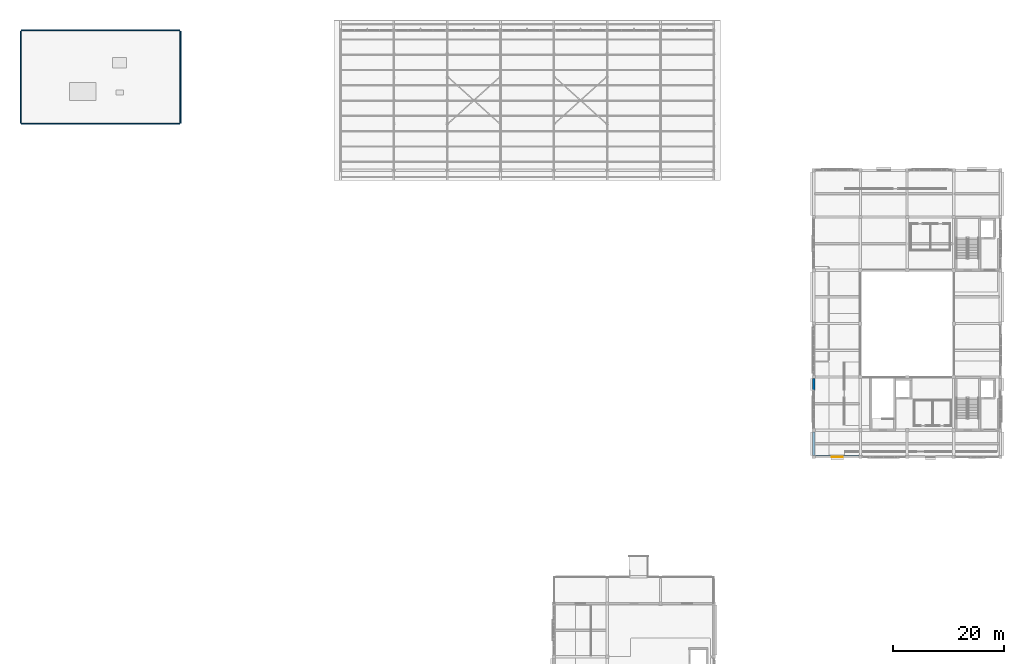
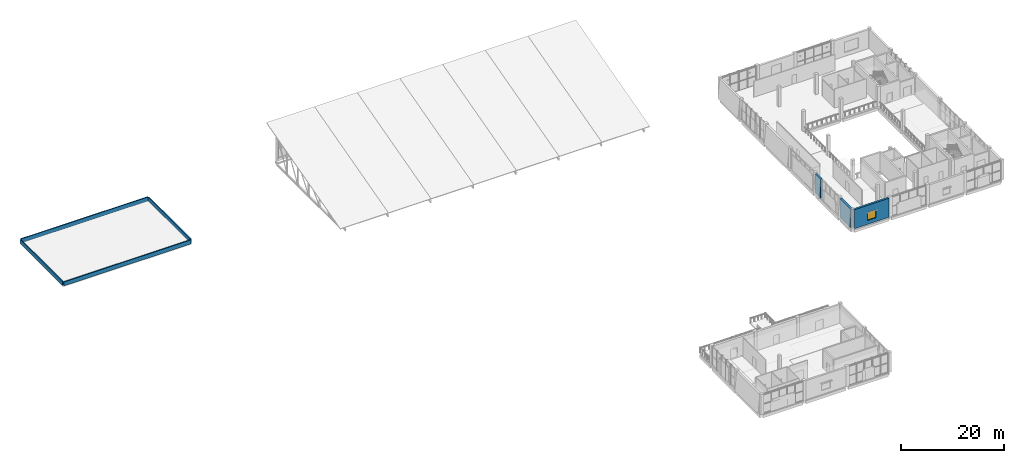
# One storey, part 27 of 37: 7 walls, 1 window, 1 opening.
"""IFC4 building model written with IfcOpenShell, lengths in metres."""

from ifc_helpers import new_model, si_unit, direction, frame, frame_2d, origin, place, context, subcontext, project, spatial, rectangle, extrude, material, layer, layer_set, type_object, element, fill, save


model = new_model("IFC4")

# Units and contexts
model_context = context("Model", 3, precision=1e-05, world=origin(), true_north=direction((0.0, 1.0)))
body_context = subcontext(model_context, "Body", "Model", "MODEL_VIEW")
ifc_project = project(units=[si_unit("LENGTHUNIT", "METRE"), si_unit("AREAUNIT", "SQUARE_METRE"), si_unit("VOLUMEUNIT", "CUBIC_METRE"), si_unit("PLANEANGLEUNIT", "RADIAN"), si_unit("MASSUNIT", "GRAM", prefix="KILO")], contexts=[model_context])

# Site, building, storey
site_placement = place(None, origin())
site = spatial("IfcSite", under=ifc_project, at=site_placement, CompositionType="ELEMENT")
building_placement = place(site_placement, origin())
building = spatial("IfcBuilding", under=site, at=building_placement, Name="Shalvenor Court Art Gallery", CompositionType="ELEMENT")
storey_placement = place(building_placement, frame((0.0, 0.0, 22.199951171875)))
storey = spatial("IfcBuildingStorey", under=building, at=storey_placement, Name="L04", CompositionType="ELEMENT", Elevation=22.199951171875)

# Wall, opening, window
ifc_material_1 = material(Name="Concrete C40/50", Category="concrete")
ifc_layer_1 = layer(ifc_material_1, 0.4599609375, Name="Concrete C40/50")
ifc_layer_set_1 = layer_set([ifc_layer_1], Name="Concrete C40/50")
wall_type_1 = type_object("IfcWallType", Name="EW-01", PredefinedType="SOLIDWALL", material=ifc_layer_set_1)
wall_1_placement = place(storey_placement, frame((150.89990234375, 45.60009765625, 0.0), z_axis=(0.0, 0.0, 1.0), x_axis=(-1.0, 0.0, 0.0)))
wall_1 = element("IfcWall", 1, at=wall_1_placement, inside=storey, type_object=wall_type_1, Name="L04 V1 Exterior Wall WL-L04-0093", PredefinedType="SOLIDWALL", context=body_context, shape_type="SweptSolid", body=[
    extrude(rectangle(XDim=7.7998046875, YDim=0.4599609375, at=frame_2d((3.89990234375, 0.0))), origin(), (0.0, 0.0, 1.0), 4.5),
])
opening_placement = place(wall_1_placement, frame((2.925048828125, 0.0, 0.89990234375)))
opening = element("IfcOpeningElement", 2, at=opening_placement, cuts=wall_1, Name="Opening WN-20", PredefinedType="OPENING", context=body_context, shape_type="SweptSolid", body=[
    extrude(rectangle(XDim=1.949951171875, YDim=1.949951171875, at=frame_2d((0.97509765625, 0.97509765625))), frame((0.0, 0.239990234375, 0.0), z_axis=(0.0, -1.0, 0.0), x_axis=(1.0, 0.0, 0.0)), (0.0, 0.0, 1.0), 0.47998046875),
])
ifc_material_2 = material(Name="Deep-reveal slot limestone window IGU", Category="masonry")
window_type = type_object("IfcWindowType", Name="WN-20", PartitioningType="SINGLE_PANEL", PredefinedType="WINDOW", material=ifc_material_2)
window_placement = place(opening_placement, origin())
window = element("IfcWindow", 3, at=window_placement, inside=storey, type_object=window_type, Name="L04 Window WIN-L04-0020", OverallHeight=1.949951171875, OverallWidth=1.949951171875, PartitioningType="SINGLE_PANEL", PredefinedType="WINDOW", context=body_context, shape_type="SweptSolid", body=[
    extrude(rectangle(XDim=1.949951171875, YDim=1.949951171875, at=frame_2d((0.97509765625, 0.97509765625))), frame((0.0, 0.030029296875, 0.0), z_axis=(0.0, -1.0, 0.0), x_axis=(1.0, 0.0, 0.0)), (0.0, 0.0, 1.0), 0.06005859375),
])
fill(opening, window)

# Walls
wall_2_placement = place(storey_placement, frame((142.800048828125, 45.89990234375, 0.0), z_axis=(0.0, 0.0, 1.0), x_axis=(0.0, 1.0, 0.0)))
element("IfcWall", 4, at=wall_2_placement, inside=storey, type_object=wall_type_1, Name="L04 V1 Exterior Wall WL-L04-0094", PredefinedType="SOLIDWALL", context=body_context, shape_type="SweptSolid", body=[
    extrude(rectangle(XDim=4.2001953125, YDim=0.4599609375, at=frame_2d((2.10009765625, 0.0))), origin(), (0.0, 0.0, 1.0), 4.5),
])
wall_3_placement = place(storey_placement, frame((142.800048828125, 57.60009765625, 0.0), z_axis=(0.0, 0.0, 1.0), x_axis=(0.0, 1.0, 0.0)))
element("IfcWall", 5, at=wall_3_placement, inside=storey, type_object=wall_type_1, Name="L04 V1 Exterior Wall WL-L04-0095", PredefinedType="SOLIDWALL", context=body_context, shape_type="SweptSolid", body=[
    extrude(rectangle(XDim=2.099853515625, YDim=0.4599609375, at=frame_2d((1.0498046875, 0.0))), origin(), (0.0, 0.0, 1.0), 4.5),
])
ifc_material_3 = material(Name="Precast concrete C40/50", Category="concrete")
ifc_layer_2 = layer(ifc_material_3, 0.22998046875, Name="Precast concrete C40/50")
ifc_layer_set_2 = layer_set([ifc_layer_2], Name="Precast concrete C40/50")
wall_type_2 = type_object("IfcWallType", Name="PW-01", PredefinedType="PARAPET", material=ifc_layer_set_2)
wall_4_placement = place(storey_placement, frame((28.800048828125, 105.719970703125, 0.0), z_axis=(0.0, 0.0, 1.0), x_axis=(0.0, 1.0, 0.0)))
element("IfcWall", 6, at=wall_4_placement, inside=storey, type_object=wall_type_2, Name="PAR-0339 L04 Roof Parapet", PredefinedType="PARAPET", context=body_context, shape_type="SweptSolid", body=[
    extrude(rectangle(XDim=16.56005859375, YDim=0.22998046875, at=frame_2d((8.280029296875, 0.0))), origin(), (0.0, 0.0, 1.0), 0.949951171875),
])
wall_5_placement = place(storey_placement, frame((28.679931640625, 122.39990234375, 0.0), z_axis=(0.0, 0.0, 1.0), x_axis=(-1.0, 0.0, 0.0)))
element("IfcWall", 7, at=wall_5_placement, inside=storey, type_object=wall_type_2, Name="PAR-0340 L04 Roof Parapet", PredefinedType="PARAPET", context=body_context, shape_type="SweptSolid", body=[
    extrude(rectangle(XDim=28.559814453125, YDim=0.22998046875, at=frame_2d((14.27978515625, 0.0))), origin(), (0.0, 0.0, 1.0), 0.949951171875),
])
wall_6_placement = place(storey_placement, frame((0.0, 122.280029296875, 0.0), z_axis=(0.0, 0.0, 1.0), x_axis=(0.0, -1.0, 0.0)))
element("IfcWall", 8, at=wall_6_placement, inside=storey, type_object=wall_type_2, Name="PAR-0341 L04 Roof Parapet", PredefinedType="PARAPET", context=body_context, shape_type="SweptSolid", body=[
    extrude(rectangle(XDim=16.56005859375, YDim=0.22998046875, at=frame_2d((8.280029296875, 0.0))), origin(), (0.0, 0.0, 1.0), 0.949951171875),
])
wall_7_placement = place(storey_placement, frame((0.1201171875, 105.60009765625, 0.0), z_axis=(0.0, 0.0, 1.0), x_axis=(1.0, 0.0, 0.0)))
element("IfcWall", 9, at=wall_7_placement, inside=storey, type_object=wall_type_2, Name="PAR-0342 L04 Roof Parapet", PredefinedType="PARAPET", context=body_context, shape_type="SweptSolid", body=[
    extrude(rectangle(XDim=28.559814453125, YDim=0.22998046875, at=frame_2d((14.27978515625, 0.0))), origin(), (0.0, 0.0, 1.0), 0.949951171875),
])

save(model, "model.ifc")
